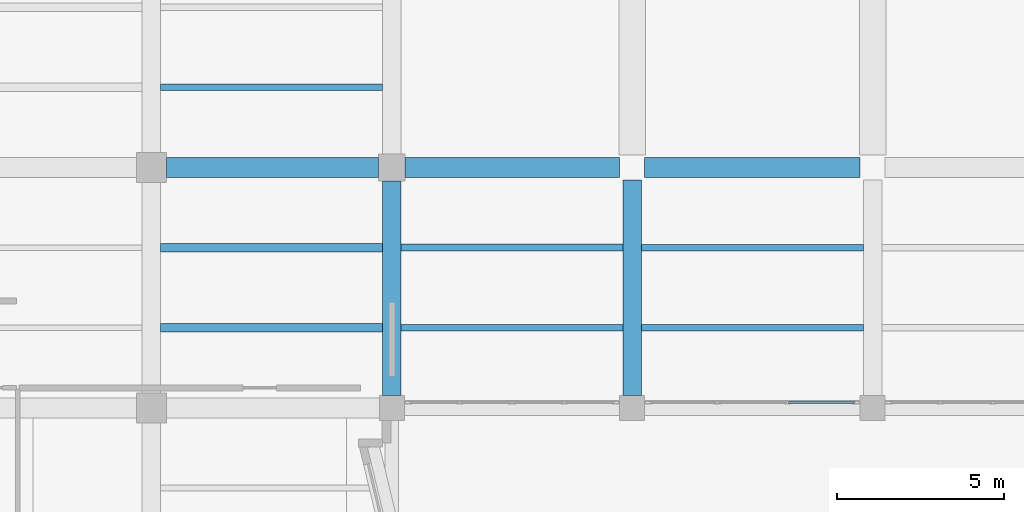
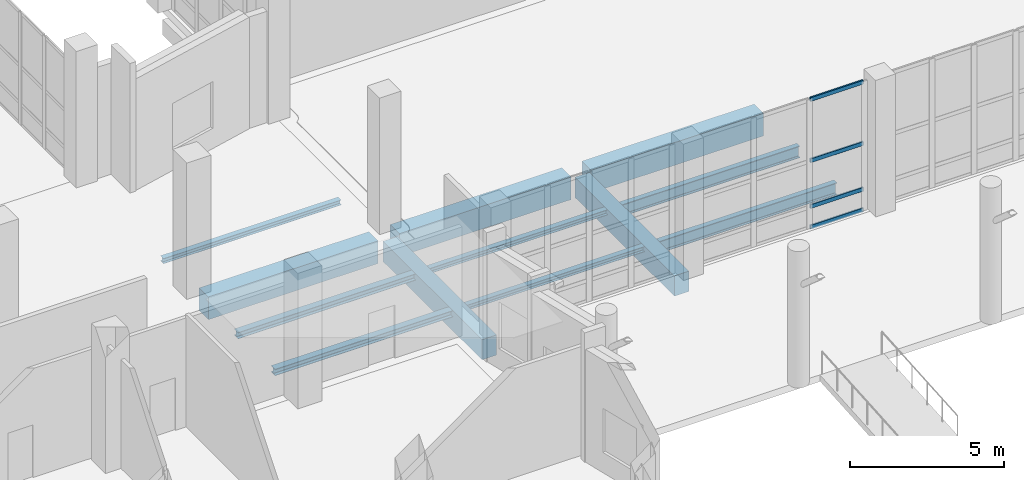
# One storey, part 11 of 137: 12 beams, 4 members, 1 element without a shape of its own.
"""IFC4 building model written with IfcOpenShell, lengths in metres."""

from ifc_helpers import new_model, si_unit, direction, frame, origin, origin_2d, place, context, subcontext, project, spatial, rectangle, hollow_rectangle, i_section, extrude, material, material_profile, profile_set, type_object, element, aggregate, save


model = new_model("IFC4")

# Units and contexts
model_context = context("Model", 3, precision=1e-05, world=origin(), true_north=direction((0.0, 1.0)))
body_context = subcontext(model_context, "Body", "Model", "MODEL_VIEW")
ifc_project = project(units=[si_unit("LENGTHUNIT", "METRE"), si_unit("AREAUNIT", "SQUARE_METRE"), si_unit("VOLUMEUNIT", "CUBIC_METRE"), si_unit("PLANEANGLEUNIT", "RADIAN"), si_unit("MASSUNIT", "GRAM", prefix="KILO")], contexts=[model_context])

# Site, building, storey
site_placement = place(None, origin())
site = spatial("IfcSite", under=ifc_project, at=site_placement, CompositionType="ELEMENT")
building_placement = place(site_placement, origin())
building = spatial("IfcBuilding", under=site, at=building_placement, Name="Kalmorath City Hall", CompositionType="ELEMENT")
storey_placement = place(building_placement, origin())
storey = spatial("IfcBuildingStorey", under=building, at=storey_placement, Name="L00", CompositionType="ELEMENT", Elevation=0.0)

# Beams
ifc_material_1 = material(Name="Concrete C40/50", Category="concrete")
ifc_material_profile_1 = material_profile(ifc_material_1, rectangle(XDim=0.550048828125, YDim=0.800048828125, at=origin_2d()), Name="RC-BM-550X800")
ifc_profile_set_1 = profile_set([ifc_material_profile_1], Name="Concrete C40/50")
beam_type_1 = type_object("IfcBeamType", Name="Concrete floor girder 550x800", PredefinedType="BEAM", material=ifc_profile_set_1)
beam_1_placement = place(storey_placement, frame((36.0, 21.97509765625, -0.7041015625), z_axis=(0.0, 1.0, 0.0), x_axis=(-1.0, 0.0, 0.0)))
element("IfcBeam", 1, at=beam_1_placement, inside=storey, type_object=beam_type_1, Name="L00 girder CB2 Y6/4-5", PredefinedType="BEAM", context=body_context, shape_type="SweptSolid", body=[
    extrude(rectangle(XDim=0.550048828125, YDim=0.800048828125, at=origin_2d()), origin(), (0.0, 0.0, 1.0), 6.4248046875),
])
beam_2_placement = place(storey_placement, frame((43.199951171875, 21.97509765625, -0.7041015625), z_axis=(0.0, 1.0, 0.0), x_axis=(-1.0, 0.0, 0.0)))
element("IfcBeam", 2, at=beam_2_placement, inside=storey, type_object=beam_type_1, Name="L00 girder CB2 Y7/4-5", PredefinedType="BEAM", context=body_context, shape_type="SweptSolid", body=[
    extrude(rectangle(XDim=0.550048828125, YDim=0.800048828125, at=origin_2d()), origin(), (0.0, 0.0, 1.0), 6.449951171875),
])
ifc_material_2 = material(Name="Concrete C40/50", Category="concrete")
ifc_material_profile_2 = material_profile(ifc_material_2, rectangle(XDim=0.60009765625, YDim=0.89990234375, at=origin_2d()), Name="RC-BM-600X900")
ifc_profile_set_2 = profile_set([ifc_material_profile_2], Name="Concrete C40/50")
beam_type_2 = type_object("IfcBeamType", Name="Concrete floor girder 600x900", PredefinedType="BEAM", material=ifc_profile_set_2)
beam_3_placement = place(storey_placement, frame((29.25, 28.800048828125, -0.75390625), z_axis=(1.0, 0.0, 0.0), x_axis=(0.0, 1.0, 0.0)))
element("IfcBeam", 3, at=beam_3_placement, inside=storey, type_object=beam_type_2, Name="L00 girder CB1 X5-6/5", PredefinedType="BEAM", context=body_context, shape_type="SweptSolid", body=[
    extrude(rectangle(XDim=0.60009765625, YDim=0.89990234375, at=origin_2d()), origin(), (0.0, 0.0, 1.0), 6.35009765625),
])
beam_4_placement = place(storey_placement, frame((36.39990234375, 28.800048828125, -0.75390625), z_axis=(1.0, 0.0, 0.0), x_axis=(0.0, 1.0, 0.0)))
element("IfcBeam", 4, at=beam_4_placement, inside=storey, type_object=beam_type_2, Name="L00 girder CB1 X6-7/5", PredefinedType="BEAM", context=body_context, shape_type="SweptSolid", body=[
    extrude(rectangle(XDim=0.60009765625, YDim=0.89990234375, at=origin_2d()), origin(), (0.0, 0.0, 1.0), 6.425048828125),
])
beam_5_placement = place(storey_placement, frame((43.574951171875, 28.800048828125, -0.75390625), z_axis=(1.0, 0.0, 0.0), x_axis=(0.0, 1.0, 0.0)))
element("IfcBeam", 5, at=beam_5_placement, inside=storey, type_object=beam_type_2, Name="L00 girder CB1 X7-8/5", PredefinedType="BEAM", context=body_context, shape_type="SweptSolid", body=[
    extrude(rectangle(XDim=0.60009765625, YDim=0.89990234375, at=origin_2d()), origin(), (0.0, 0.0, 1.0), 6.449951171875),
])

# Curtain wall, members
ifc_material_3 = material(Name="Anodised aluminium and laminated glass", Category="aluminium")
curtain_wall_type = type_object("IfcCurtainWallType", Name="Unitised hurricane curtain wall 6270x5120 M1800", PredefinedType="NOTDEFINED", material=ifc_material_3)
curtain_wall_placement = place(storey_placement, origin())
curtain_wall = element("IfcCurtainWall", 6, at=curtain_wall_placement, inside=storey, type_object=curtain_wall_type, Name="L00 curtain wall CW-63X51M18 #25", PredefinedType="NOTDEFINED")
ifc_material_4 = material(Name="Anodised aluminium framing", Category="aluminium")
ifc_material_profile_3 = material_profile(ifc_material_4, hollow_rectangle(XDim=0.06494140625, YDim=0.159912109375, WallThickness=0.00390625, InnerFilletRadius=0.00390625, OuterFilletRadius=0.008056640625, at=origin_2d()), Name="ALU-TRN-160X65X4")
ifc_profile_set_3 = profile_set([ifc_material_profile_3], Name="Anodised aluminium framing")
member_type = type_object("IfcMemberType", Name="Curtain-wall primary transom 160x65", PredefinedType="USERDEFINED", material=ifc_profile_set_3)
member_1_placement = place(storey_placement, frame((49.860107421875, 21.760009765625, 0.032470703125), z_axis=(-1.0, 0.0, 0.0), x_axis=(0.0, -1.0, 0.0)))
member_1 = element("IfcMember", 7, at=member_1_placement, type_object=member_type, Name="CW-63X51M18 transom 1.1", ObjectType="TRANSOM", PredefinedType="USERDEFINED", context=body_context, shape_type="SweptSolid", body=[
    extrude(hollow_rectangle(XDim=0.06494140625, YDim=0.159912109375, WallThickness=0.00390625, InnerFilletRadius=0.00390625, OuterFilletRadius=0.008056640625, at=origin_2d()), origin(), (0.0, 0.0, 1.0), 1.9775390625),
])
member_2_placement = place(storey_placement, frame((49.860107421875, 21.760009765625, 0.85009765625), z_axis=(-1.0, 0.0, 0.0), x_axis=(0.0, -1.0, 0.0)))
member_2 = element("IfcMember", 8, at=member_2_placement, type_object=member_type, Name="CW-63X51M18 transom 1.2", ObjectType="TRANSOM", PredefinedType="USERDEFINED", context=body_context, shape_type="SweptSolid", body=[
    extrude(hollow_rectangle(XDim=0.06494140625, YDim=0.159912109375, WallThickness=0.00390625, InnerFilletRadius=0.00390625, OuterFilletRadius=0.008056640625, at=origin_2d()), origin(), (0.0, 0.0, 1.0), 1.9775390625),
])
member_3_placement = place(storey_placement, frame((49.860107421875, 21.760009765625, 2.662109375), z_axis=(-1.0, 0.0, 0.0), x_axis=(0.0, -1.0, 0.0)))
member_3 = element("IfcMember", 9, at=member_3_placement, type_object=member_type, Name="CW-63X51M18 transom 1.3", ObjectType="TRANSOM", PredefinedType="USERDEFINED", context=body_context, shape_type="SweptSolid", body=[
    extrude(hollow_rectangle(XDim=0.06494140625, YDim=0.159912109375, WallThickness=0.00390625, InnerFilletRadius=0.00390625, OuterFilletRadius=0.008056640625, at=origin_2d()), origin(), (0.0, 0.0, 1.0), 1.9775390625),
])
member_4_placement = place(storey_placement, frame((49.860107421875, 21.760009765625, 5.08740234375), z_axis=(-1.0, 0.0, 0.0), x_axis=(0.0, -1.0, 0.0)))
member_4 = element("IfcMember", 10, at=member_4_placement, type_object=member_type, Name="CW-63X51M18 transom 1.4", ObjectType="TRANSOM", PredefinedType="USERDEFINED", context=body_context, shape_type="SweptSolid", body=[
    extrude(hollow_rectangle(XDim=0.06494140625, YDim=0.159912109375, WallThickness=0.00390625, InnerFilletRadius=0.00390625, OuterFilletRadius=0.008056640625, at=origin_2d()), origin(), (0.0, 0.0, 1.0), 1.9775390625),
])
aggregate(curtain_wall, [member_1, member_2, member_3, member_4])

# Beams
ifc_material_5 = material(Name="Steel ASTM A992 Grade 50", Category="steel")
ifc_material_profile_4 = material_profile(ifc_material_5, i_section(OverallWidth=0.193115234375, OverallDepth=0.466064453125, WebThickness=0.011474609375, FlangeThickness=0.01904296875, FilletRadius=0.013916015625, at=origin_2d()), Name="W18X65")
ifc_profile_set_4 = profile_set([ifc_material_profile_4], Name="Steel ASTM A992 Grade 50")
beam_type_3 = type_object("IfcBeamType", Name="Steel composite joist W18X65", PredefinedType="JOIST", material=ifc_profile_set_4)
for number, where, z_axis, x_axis, name in (
    (11, (43.47509765625, 24.0, -0.537109375), (1.0, 0.0, 0.0), (0.0, 1.0, 0.0), "L00 joist SJ1 7.4.1"),
    (12, (43.47509765625, 26.39990234375, -0.537109375), (1.0, 0.0, 0.0), (0.0, 1.0, 0.0), "L00 joist SJ1 7.4.2"),
):
    element("IfcBeam", number, at=place(storey_placement, frame(where, z_axis=z_axis, x_axis=x_axis)), inside=storey, type_object=beam_type_3, Name=name, PredefinedType="JOIST", context=body_context, shape_type="SweptSolid", body=[
        extrude(i_section(OverallWidth=0.193115234375, OverallDepth=0.466064453125, WebThickness=0.011474609375, FlangeThickness=0.01904296875, FilletRadius=0.013916015625, at=origin_2d()), origin(), (0.0, 0.0, 1.0), 6.64990234375),
    ])
ifc_material_6 = material(Name="Steel ASTM A992 Grade 50", Category="steel")
ifc_material_profile_5 = material_profile(ifc_material_6, i_section(OverallWidth=0.202880859375, OverallDepth=0.202880859375, WebThickness=0.007080078125, FlangeThickness=0.010986328125, FilletRadius=0.010986328125, at=origin_2d()), Name="W8X31")
ifc_profile_set_5 = profile_set([ifc_material_profile_5], Name="Steel ASTM A992 Grade 50")
beam_type_4 = type_object("IfcBeamType", Name="Steel edge trimmer W8X31", PredefinedType="LINTEL", material=ifc_profile_set_5)
for number, where, z_axis, x_axis, name in (
    (13, (29.074951171875, 31.199951171875, -0.405517578125), (1.0, 0.0, 0.0), (0.0, 1.0, 0.0), "L00 joist SJ16 5.5.1"),
    (14, (36.27490234375, 24.0, -0.405517578125), (1.0, 0.0, 0.0), (0.0, 1.0, 0.0), "L00 joist SJ16 6.4.1"),
    (15, (36.27490234375, 26.39990234375, -0.405517578125), (1.0, 0.0, 0.0), (0.0, 1.0, 0.0), "L00 joist SJ16 6.4.2"),
):
    element("IfcBeam", number, at=place(storey_placement, frame(where, z_axis=z_axis, x_axis=x_axis)), inside=storey, type_object=beam_type_4, Name=name, PredefinedType="LINTEL", context=body_context, shape_type="SweptSolid", body=[
        extrude(i_section(OverallWidth=0.202880859375, OverallDepth=0.202880859375, WebThickness=0.007080078125, FlangeThickness=0.010986328125, FilletRadius=0.010986328125, at=origin_2d()), origin(), (0.0, 0.0, 1.0), 6.650146484375),
    ])
ifc_material_7 = material(Name="Steel ASTM A992 Grade 50", Category="steel")
ifc_material_profile_6 = material_profile(ifc_material_7, i_section(OverallWidth=0.25390625, OverallDepth=0.2529296875, WebThickness=0.008544921875, FlangeThickness=0.01416015625, FilletRadius=0.011962890625, at=origin_2d()), Name="W10X49")
ifc_profile_set_6 = profile_set([ifc_material_profile_6], Name="Steel ASTM A992 Grade 50")
beam_type_5 = type_object("IfcBeamType", Name="Steel trimmer beam W10X49", PredefinedType="BEAM", material=ifc_profile_set_6)
for number, where, z_axis, x_axis, name in (
    (16, (29.074951171875, 24.0, -0.430419921875), (1.0, 0.0, 0.0), (0.0, 1.0, 0.0), "L00 joist SJ14 5.4.1"),
    (17, (29.074951171875, 26.39990234375, -0.430419921875), (1.0, 0.0, 0.0), (0.0, 1.0, 0.0), "L00 joist SJ14 5.4.2"),
):
    element("IfcBeam", number, at=place(storey_placement, frame(where, z_axis=z_axis, x_axis=x_axis)), inside=storey, type_object=beam_type_5, Name=name, PredefinedType="BEAM", context=body_context, shape_type="SweptSolid", body=[
        extrude(i_section(OverallWidth=0.25390625, OverallDepth=0.2529296875, WebThickness=0.008544921875, FlangeThickness=0.01416015625, FilletRadius=0.011962890625, at=origin_2d()), origin(), (0.0, 0.0, 1.0), 6.650146484375),
    ])

save(model, "model.ifc")
